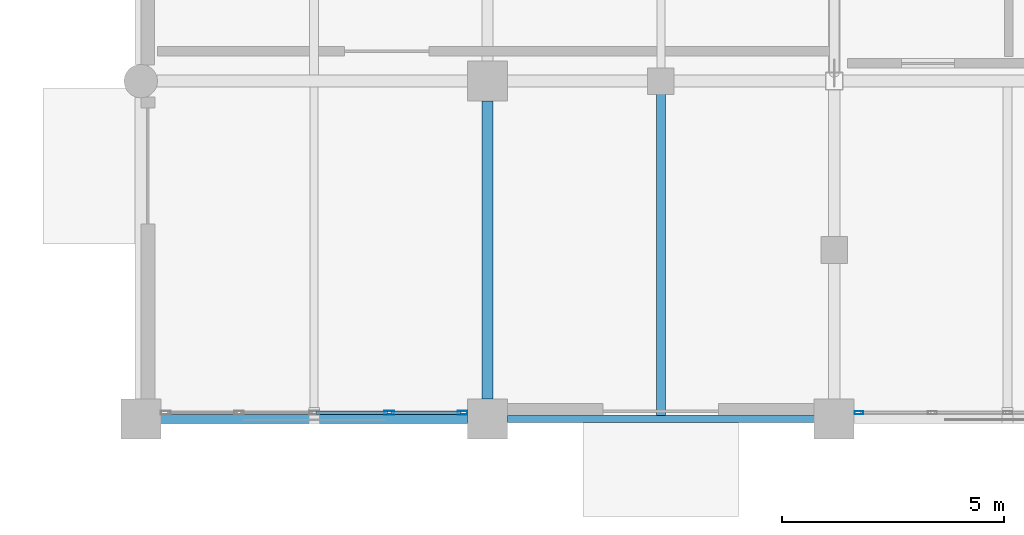
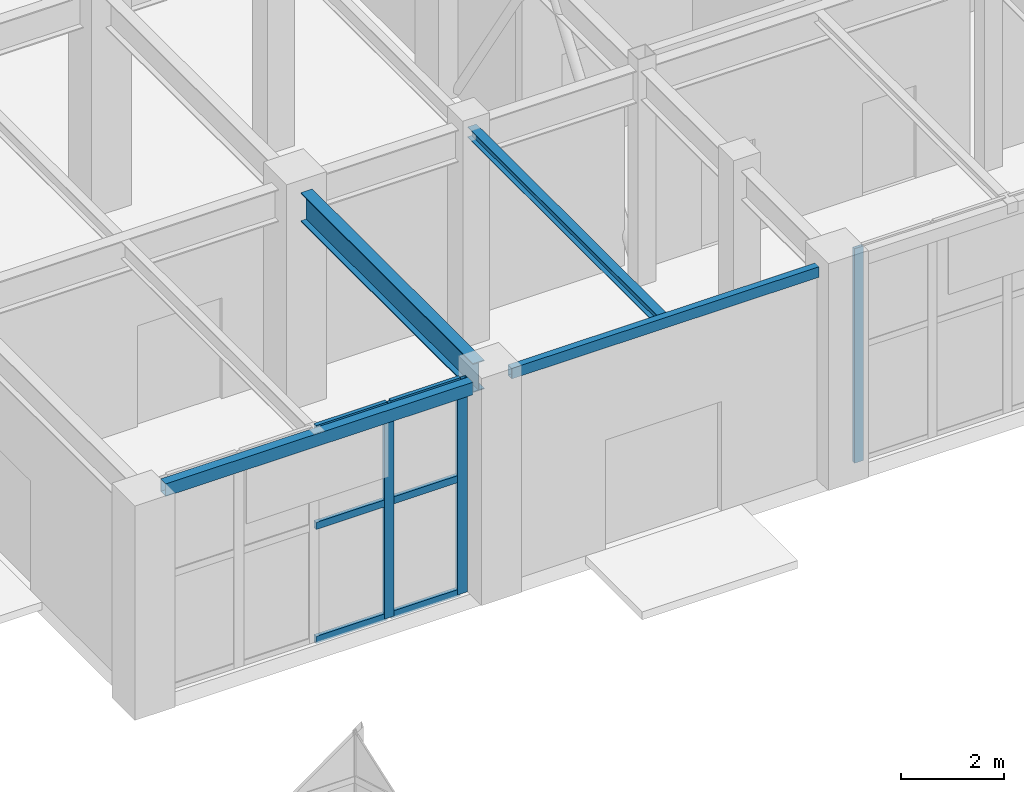
# One storey, part 93 of 139: 9 members, 4 beams, 2 elements without a shape of their own.
"""IFC4 building model written with IfcOpenShell, lengths in metres."""

from ifc_helpers import new_model, si_unit, direction, frame, origin, origin_2d, place, context, subcontext, project, spatial, hollow_rectangle, i_section, extrude, material, layer, layer_set, material_profile, profile_set, type_object, element, aggregate, save


model = new_model("IFC4")

# Units and contexts
model_context = context("Model", 3, precision=1e-05, world=origin(), true_north=direction((0.0, 1.0)))
body_context = subcontext(model_context, "Body", "Model", "MODEL_VIEW")
ifc_project = project(units=[si_unit("LENGTHUNIT", "METRE"), si_unit("AREAUNIT", "SQUARE_METRE"), si_unit("VOLUMEUNIT", "CUBIC_METRE"), si_unit("PLANEANGLEUNIT", "RADIAN"), si_unit("MASSUNIT", "GRAM", prefix="KILO")], contexts=[model_context])

# Site, building, storey
site_placement = place(None, origin())
site = spatial("IfcSite", under=ifc_project, at=site_placement, CompositionType="ELEMENT")
building_placement = place(site_placement, origin())
building = spatial("IfcBuilding", under=site, at=building_placement, Name="Xicomal Pleat Aquarium", CompositionType="ELEMENT")
storey_placement = place(building_placement, origin())
storey = spatial("IfcBuildingStorey", under=building, at=storey_placement, Name="L01", CompositionType="ELEMENT", Elevation=0.0)

# Beams
ifc_material_1 = material(Name="Structural steel A992 Gr 50", Category="steel")
ifc_material_profile_1 = material_profile(ifc_material_1, i_section(OverallWidth=0.201904296875, OverallDepth=0.2470703125, WebThickness=0.00732421875, FlangeThickness=0.010986328125, at=origin_2d()), Name="IR 250x49")
ifc_profile_set_1 = profile_set([ifc_material_profile_1], Name="Structural steel A992 Gr 50")
beam_type_1 = type_object("IfcBeamType", Name="BM-STL-IR250", PredefinedType="JOIST", material=ifc_profile_set_1)
beam_1_placement = place(storey_placement, frame((137.699951171875, 76.077880859375, 4.9765625), z_axis=(0.0, 1.0, 0.0), x_axis=(-1.0, 0.0, 0.0)))
element("IfcBeam", 1, at=beam_1_placement, inside=storey, type_object=beam_type_1, Name="L01 framing beam FBJ-L01-17-L-1", PredefinedType="JOIST", context=body_context, shape_type="SweptSolid", body=[
    extrude(i_section(OverallWidth=0.201904296875, OverallDepth=0.2470703125, WebThickness=0.00732421875, FlangeThickness=0.010986328125, at=origin_2d()), origin(), (0.0, 0.0, 1.0), 7.385009765625),
])
ifc_material_2 = material(Name="Structural steel A992 Gr 50", Category="steel")
ifc_material_profile_2 = material_profile(ifc_material_2, i_section(OverallWidth=0.256103515625, OverallDepth=0.693115234375, WebThickness=0.014404296875, FlangeThickness=0.023681640625, at=origin_2d()), Name="IR 690x170")
ifc_profile_set_2 = profile_set([ifc_material_profile_2], Name="Structural steel A992 Gr 50")
beam_type_2 = type_object("IfcBeamType", Name="BM-STL-IR690", PredefinedType="BEAM", material=ifc_profile_set_2)
beam_2_placement = place(storey_placement, frame((133.800048828125, 76.445068359375, 4.75341796875), z_axis=(0.0, 1.0, 0.0), x_axis=(-1.0, 0.0, 0.0)))
element("IfcBeam", 2, at=beam_2_placement, inside=storey, type_object=beam_type_2, Name="L01 framing beam FGY-L01-17-L-M", PredefinedType="BEAM", context=body_context, shape_type="SweptSolid", body=[
    extrude(i_section(OverallWidth=0.256103515625, OverallDepth=0.693115234375, WebThickness=0.014404296875, FlangeThickness=0.023681640625, at=origin_2d()), origin(), (0.0, 0.0, 1.0), 6.7099609375),
])
ifc_material_3 = material(Name="Structural steel A500 Gr C", Category="steel")
ifc_material_profile_3 = material_profile(ifc_material_3, hollow_rectangle(XDim=0.14990234375, YDim=0.25, WallThickness=0.010009765625, at=origin_2d()), Name="OR 250x150x10")
ifc_profile_set_3 = profile_set([ifc_material_profile_3], Name="Structural steel A500 Gr C")
beam_type_3 = type_object("IfcBeamType", Name="BM-STL-OR250", PredefinedType="SPANDREL", material=ifc_profile_set_3)
beam_3_placement = place(storey_placement, frame((134.2451171875, 76.0, 4.97509765625), z_axis=(1.0, 0.0, 0.0), x_axis=(0.0, 1.0, 0.0)))
element("IfcBeam", 3, at=beam_3_placement, inside=storey, type_object=beam_type_3, Name="L01 framing beam FGX-L01-17-18-L", PredefinedType="SPANDREL", context=body_context, shape_type="SweptSolid", body=[
    extrude(hollow_rectangle(XDim=0.14990234375, YDim=0.25, WallThickness=0.010009765625, at=origin_2d()), origin(), (0.0, 0.0, 1.0), 6.909912109375),
])
ifc_material_4 = material(Name="Structural steel A500 Gr C", Category="steel")
ifc_material_profile_4 = material_profile(ifc_material_4, hollow_rectangle(XDim=0.199951171875, YDim=0.300048828125, WallThickness=0.011962890625, at=origin_2d()), Name="OR 300x200x12")
ifc_profile_set_4 = profile_set([ifc_material_profile_4], Name="Structural steel A500 Gr C")
beam_type_4 = type_object("IfcBeamType", Name="BM-STL-OR300", PredefinedType="SPANDREL", material=ifc_profile_set_4)
beam_4_placement = place(storey_placement, frame((126.445068359375, 76.0, 4.949951171875), z_axis=(1.0, 0.0, 0.0), x_axis=(0.0, 1.0, 0.0)))
element("IfcBeam", 4, at=beam_4_placement, inside=storey, type_object=beam_type_4, Name="L01 framing beam FGX-L01-16-17-L", PredefinedType="SPANDREL", context=body_context, shape_type="SweptSolid", body=[
    extrude(hollow_rectangle(XDim=0.199951171875, YDim=0.300048828125, WallThickness=0.011962890625, at=origin_2d()), origin(), (0.0, 0.0, 1.0), 6.909912109375),
])

# Curtain wall, member
ifc_material_5 = material(Name="Bronze anodized aluminium 6063-T6", Category="aluminium")
ifc_layer_1 = layer(ifc_material_5, 0.159912109375)
ifc_layer_set_1 = layer_set([ifc_layer_1], Name="Bronze anodized aluminium 6063-T6")
curtain_wall_type_1 = type_object("IfcCurtainWallType", Name="CW-SYS-06", PredefinedType="NOTDEFINED", material=ifc_layer_set_1)
curtain_wall_1_placement = place(storey_placement, origin())
curtain_wall_1 = element("IfcCurtainWall", 5, at=curtain_wall_1_placement, inside=storey, type_object=curtain_wall_type_1, Name="L01 unitised curtain wall CW-L01-067", PredefinedType="NOTDEFINED")
ifc_material_6 = material(Name="Bronze anodized aluminium 6063-T6", Category="aluminium")
ifc_material_profile_5 = material_profile(ifc_material_6, hollow_rectangle(XDim=0.074951171875, YDim=0.199951171875, WallThickness=0.00439453125, at=origin_2d()), Name="ALU MULL 75x200")
ifc_profile_set_5 = profile_set([ifc_material_profile_5], Name="Bronze anodized aluminium 6063-T6")
member_type_1 = type_object("IfcMemberType", Name="CWM-75x200", PredefinedType="MULLION", material=ifc_profile_set_5)
member_1_placement = place(storey_placement, frame((142.157470703125, 76.139892578125, 0.0), z_axis=(0.0, 0.0, 1.0), x_axis=(0.0, -1.0, 0.0)))
member_1 = element("IfcMember", 6, at=member_1_placement, type_object=member_type_1, Name="CW-06 mullion 5", PredefinedType="MULLION", context=body_context, shape_type="SweptSolid", body=[
    extrude(hollow_rectangle(XDim=0.074951171875, YDim=0.199951171875, WallThickness=0.00439453125, at=origin_2d()), origin(), (0.0, 0.0, 1.0), 5.10009765625),
])
aggregate(curtain_wall_1, [member_1])

# Curtain wall, members
ifc_material_7 = material(Name="Bronze anodized aluminium 6063-T6", Category="aluminium")
ifc_layer_2 = layer(ifc_material_7, 0.159912109375)
ifc_layer_set_2 = layer_set([ifc_layer_2], Name="Bronze anodized aluminium 6063-T6")
curtain_wall_type_2 = type_object("IfcCurtainWallType", Name="CW-SYS-11", PredefinedType="NOTDEFINED", material=ifc_layer_set_2)
curtain_wall_2_placement = place(storey_placement, origin())
curtain_wall_2 = element("IfcCurtainWall", 7, at=curtain_wall_2_placement, inside=storey, type_object=curtain_wall_type_2, Name="L01 unitised curtain wall CW-L01-068", PredefinedType="NOTDEFINED")
ifc_material_8 = material(Name="Bronze anodized aluminium 6063-T6", Category="aluminium")
ifc_material_profile_6 = material_profile(ifc_material_8, hollow_rectangle(XDim=0.0849609375, YDim=0.219970703125, WallThickness=0.0048828125, at=origin_2d()), Name="ALU MULL 85x220")
ifc_profile_set_6 = profile_set([ifc_material_profile_6], Name="Bronze anodized aluminium 6063-T6")
member_type_2 = type_object("IfcMemberType", Name="CWM-85x220", PredefinedType="MULLION", material=ifc_profile_set_6)
member_2_placement = place(storey_placement, frame((133.237548828125, 76.139892578125, 0.0), z_axis=(0.0, 0.0, 1.0), x_axis=(0.0, -1.0, 0.0)))
member_2 = element("IfcMember", 8, at=member_2_placement, type_object=member_type_2, Name="CW-11 mullion 1", PredefinedType="MULLION", context=body_context, shape_type="SweptSolid", body=[
    extrude(hollow_rectangle(XDim=0.0849609375, YDim=0.219970703125, WallThickness=0.0048828125, at=origin_2d()), origin(), (0.0, 0.0, 1.0), 5.10009765625),
])
member_3_placement = place(storey_placement, frame((131.590087890625, 76.139892578125, 0.0), z_axis=(0.0, 0.0, 1.0), x_axis=(0.0, -1.0, 0.0)))
member_3 = element("IfcMember", 9, at=member_3_placement, type_object=member_type_2, Name="CW-11 mullion 2", PredefinedType="MULLION", context=body_context, shape_type="SweptSolid", body=[
    extrude(hollow_rectangle(XDim=0.0849609375, YDim=0.219970703125, WallThickness=0.0048828125, at=origin_2d()), origin(), (0.0, 0.0, 1.0), 5.10009765625),
])
ifc_material_9 = material(Name="Bronze anodized aluminium 6063-T6", Category="aluminium")
ifc_material_profile_7 = material_profile(ifc_material_9, hollow_rectangle(XDim=0.0849609375, YDim=0.169921875, WallThickness=0.0048828125, at=origin_2d()), Name="ALU TRAN 85x170")
ifc_profile_set_7 = profile_set([ifc_material_profile_7], Name="Bronze anodized aluminium 6063-T6")
member_type_3 = type_object("IfcMemberType", Name="CWT-85x170", PredefinedType="USERDEFINED", material=ifc_profile_set_7)
member_4_placement = place(storey_placement, frame((133.195068359375, 76.139892578125, 0.04248046875), z_axis=(-1.0, 0.0, 0.0), x_axis=(0.0, -1.0, 0.0)))
member_4 = element("IfcMember", 10, at=member_4_placement, type_object=member_type_3, Name="CW-11 transom 1.1", ObjectType="TRANSOM", PredefinedType="USERDEFINED", context=body_context, shape_type="SweptSolid", body=[
    extrude(hollow_rectangle(XDim=0.0849609375, YDim=0.169921875, WallThickness=0.0048828125, at=origin_2d()), origin(), (0.0, 0.0, 1.0), 1.5625),
])
member_5_placement = place(storey_placement, frame((133.195068359375, 76.139892578125, 2.75390625), z_axis=(-1.0, 0.0, 0.0), x_axis=(0.0, -1.0, 0.0)))
member_5 = element("IfcMember", 11, at=member_5_placement, type_object=member_type_3, Name="CW-11 transom 1.2", ObjectType="TRANSOM", PredefinedType="USERDEFINED", context=body_context, shape_type="SweptSolid", body=[
    extrude(hollow_rectangle(XDim=0.0849609375, YDim=0.169921875, WallThickness=0.0048828125, at=origin_2d()), origin(), (0.0, 0.0, 1.0), 1.5625),
])
member_6_placement = place(storey_placement, frame((133.195068359375, 76.139892578125, 5.0576171875), z_axis=(-1.0, 0.0, 0.0), x_axis=(0.0, -1.0, 0.0)))
member_6 = element("IfcMember", 12, at=member_6_placement, type_object=member_type_3, Name="CW-11 transom 1.3", ObjectType="TRANSOM", PredefinedType="USERDEFINED", context=body_context, shape_type="SweptSolid", body=[
    extrude(hollow_rectangle(XDim=0.0849609375, YDim=0.169921875, WallThickness=0.0048828125, at=origin_2d()), origin(), (0.0, 0.0, 1.0), 1.5625),
])
member_7_placement = place(storey_placement, frame((131.547607421875, 76.139892578125, 0.04248046875), z_axis=(-1.0, 0.0, 0.0), x_axis=(0.0, -1.0, 0.0)))
member_7 = element("IfcMember", 13, at=member_7_placement, type_object=member_type_3, Name="CW-11 transom 2.1", ObjectType="TRANSOM", PredefinedType="USERDEFINED", context=body_context, shape_type="SweptSolid", body=[
    extrude(hollow_rectangle(XDim=0.0849609375, YDim=0.169921875, WallThickness=0.0048828125, at=origin_2d()), origin(), (0.0, 0.0, 1.0), 1.605224609375),
])
member_8_placement = place(storey_placement, frame((131.547607421875, 76.139892578125, 2.75390625), z_axis=(-1.0, 0.0, 0.0), x_axis=(0.0, -1.0, 0.0)))
member_8 = element("IfcMember", 14, at=member_8_placement, type_object=member_type_3, Name="CW-11 transom 2.2", ObjectType="TRANSOM", PredefinedType="USERDEFINED", context=body_context, shape_type="SweptSolid", body=[
    extrude(hollow_rectangle(XDim=0.0849609375, YDim=0.169921875, WallThickness=0.0048828125, at=origin_2d()), origin(), (0.0, 0.0, 1.0), 1.605224609375),
])
member_9_placement = place(storey_placement, frame((131.547607421875, 76.139892578125, 5.0576171875), z_axis=(-1.0, 0.0, 0.0), x_axis=(0.0, -1.0, 0.0)))
member_9 = element("IfcMember", 15, at=member_9_placement, type_object=member_type_3, Name="CW-11 transom 2.3", ObjectType="TRANSOM", PredefinedType="USERDEFINED", context=body_context, shape_type="SweptSolid", body=[
    extrude(hollow_rectangle(XDim=0.0849609375, YDim=0.169921875, WallThickness=0.0048828125, at=origin_2d()), origin(), (0.0, 0.0, 1.0), 1.605224609375),
])
aggregate(curtain_wall_2, [member_2, member_3, member_4, member_5, member_6, member_7, member_8, member_9])

save(model, "model.ifc")
